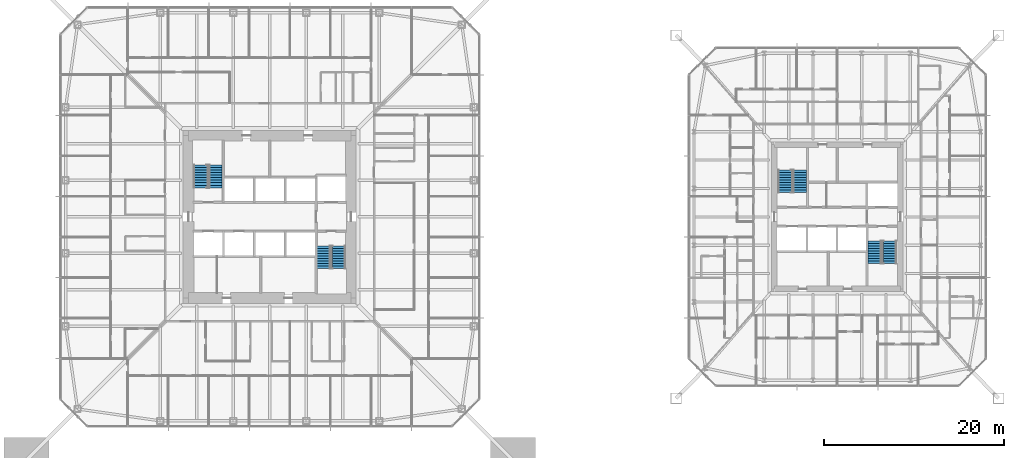
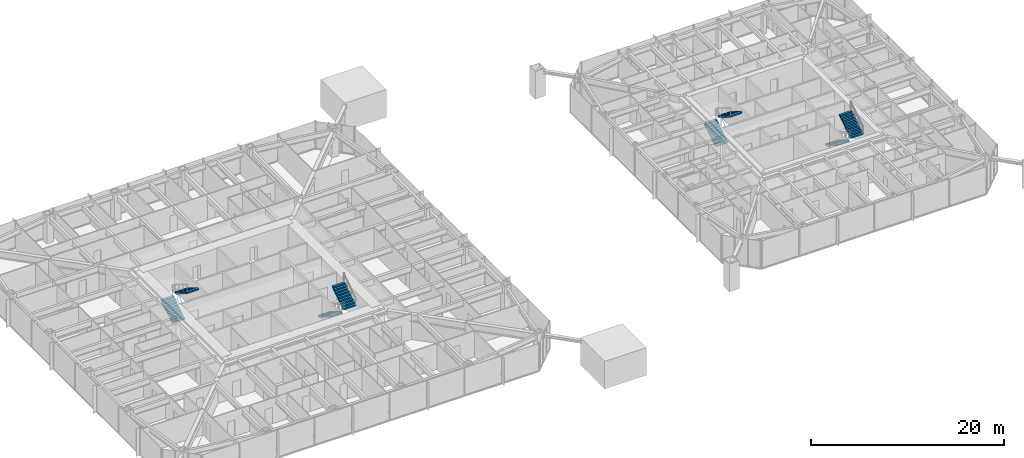
# One storey, part 22 of 26: 8 stair flights, 4 elements without a shape of their own.
"""IFC4 building model written with IfcOpenShell, lengths in metres."""

import ifcopenshell
import ifcopenshell.guid

model = None  # the IFC model being written
_history = None  # IfcOwnerHistory: only IFC2X3 demands one
_inside = {}  # id of a spatial element -> (the spatial element, [elements in it])
_under = {}  # id of a project, library or spatial element -> (it, [spatial elements below it])
_declared = {}  # id of a project -> (the project, [libraries it declares])
_typed = {}  # id of a type object -> (the type object, [elements of that type])
_made_of = {}  # id of a material, layer set ... -> (it, [elements and type objects made of it])


def new_model(schema):
    """Start an empty IFC model of exactly this schema.

    Asked for "IFC4X3", IfcOpenShell would pick the latest addendum, in which some entities
    have other attributes; the version numbers below select the first issue.
    IFC2X3 requires an IfcOwnerHistory on every rooted entity: one is made here for all.
    """
    global model, _history
    if schema == "IFC4X3":
        model = ifcopenshell.file(schema_version=(4, 3, 0, 0))
    else:
        model = ifcopenshell.file(schema=schema)
    _inside.clear()
    _under.clear()
    _declared.clear()
    _typed.clear()
    _made_of.clear()
    _history = None
    if model.schema == "IFC2X3":
        org = make("IfcOrganization", Name="unknown")
        user = make(
            "IfcPersonAndOrganization",
            ThePerson=make("IfcPerson", FamilyName="unknown"),
            TheOrganization=org,
        )
        app = make(
            "IfcApplication",
            ApplicationDeveloper=org,
            Version="unknown",
            ApplicationFullName="unknown",
            ApplicationIdentifier="unknown",
        )
        _history = make(
            "IfcOwnerHistory",
            OwningUser=user,
            OwningApplication=app,
            ChangeAction="ADDED",
            CreationDate=0,
        )
    return model


def make(cls, **values):
    """One entity of the class cls with the attributes given. An attribute that is None is left unset."""
    return model.create_entity(
        cls, **{name: value for name, value in values.items() if value is not None}
    )


def rooted(cls, **values):
    """An entity with a GlobalId (a new one), such as an element, a storey or a relation."""
    return make(cls, GlobalId=ifcopenshell.guid.new(), OwnerHistory=_history, **values)


def si_unit(unit_type, name, prefix=None):
    """IfcSIUnit, for example si_unit("LENGTHUNIT", "METRE", prefix="MILLI")."""
    return make("IfcSIUnit", UnitType=unit_type, Prefix=prefix, Name=name)


def assignment(units):
    """IfcUnitAssignment: the units of a project."""
    return None if units is None else make("IfcUnitAssignment", Units=units)


def point(xyz):
    """IfcCartesianPoint."""
    return None if xyz is None else make("IfcCartesianPoint", Coordinates=xyz)


def direction(xyz):
    """IfcDirection."""
    return None if xyz is None else make("IfcDirection", DirectionRatios=xyz)


def frame(location, z_axis=None, x_axis=None):
    """IfcAxis2Placement3D, a coordinate frame: its origin and axes. An axis left out is left unset."""
    return make(
        "IfcAxis2Placement3D",
        Location=point(location),
        Axis=direction(z_axis),
        RefDirection=direction(x_axis),
    )


def origin():
    """The frame at (0, 0, 0) with its axes left unset."""
    return frame((0.0, 0.0, 0.0))


def place(relative_to, where):
    """IfcLocalPlacement: puts the frame where relative to a parent placement (None: the world)."""
    return make(
        "IfcLocalPlacement", PlacementRelTo=relative_to, RelativePlacement=where
    )


def context(
    kind, dimensions, precision=None, world=None, true_north=None, identifier=None
):
    """IfcGeometricRepresentationContext, for example the 3D "Model" context."""
    return make(
        "IfcGeometricRepresentationContext",
        ContextIdentifier=identifier,
        ContextType=kind,
        CoordinateSpaceDimension=dimensions,
        Precision=precision,
        WorldCoordinateSystem=world,
        TrueNorth=true_north,
    )


def subcontext(parent, identifier, kind, view, scale=None):
    """IfcGeometricRepresentationSubContext, for example "Body" below "Model"."""
    return make(
        "IfcGeometricRepresentationSubContext",
        ContextIdentifier=identifier,
        ContextType=kind,
        ParentContext=parent,
        TargetScale=scale,
        TargetView=view,
    )


def project(units=None, contexts=None):
    """IfcProject with its units and contexts."""
    return rooted(
        "IfcProject",
        Name="project",
        RepresentationContexts=contexts,
        UnitsInContext=assignment(units),
    )


def spatial(cls, under=None, at=None, **own):
    """A site, building, storey or space (cls), placed at a placement, below another one or the project."""
    s = rooted(cls, ObjectPlacement=at, **own)
    if under is not None:
        _under.setdefault(under.id(), (under, []))[1].append(s)
    return s


def polyline(points):
    """IfcPolyline through the points."""
    return make("IfcPolyline", Points=[point(p) for p in points])


def outline(outer, holes=None, kind="AREA"):
    """IfcArbitraryClosedProfileDef: a profile drawn as a closed curve; with holes, ...WithVoids."""
    if holes is None:
        return make("IfcArbitraryClosedProfileDef", ProfileType=kind, OuterCurve=outer)
    return make(
        "IfcArbitraryProfileDefWithVoids",
        ProfileType=kind,
        OuterCurve=outer,
        InnerCurves=holes,
    )


def extrude(swept, where, along, depth):
    """IfcExtrudedAreaSolid: the profile swept, set in the frame where, extruded along a direction by depth."""
    return make(
        "IfcExtrudedAreaSolid",
        SweptArea=swept,
        Position=where,
        ExtrudedDirection=direction(along),
        Depth=depth,
    )


def shape(context_of_items, identifier, shape_type, items):
    """IfcShapeRepresentation: the items that make up one representation, for example the "Body"."""
    return make(
        "IfcShapeRepresentation",
        ContextOfItems=context_of_items,
        RepresentationIdentifier=identifier,
        RepresentationType=shape_type,
        Items=items,
    )


def material(Name=None, Category=None):
    """IfcMaterial."""
    return make("IfcMaterial", Name=Name, Category=Category)


def constituent(of_material, Name=None, Category=None, fraction=None):
    """IfcMaterialConstituent: one of the materials an element consists of."""
    return make(
        "IfcMaterialConstituent",
        Name=Name,
        Material=of_material,
        Fraction=fraction,
        Category=Category,
    )


def constituent_set(constituents=None, Name=None):
    """IfcMaterialConstituentSet."""
    return make(
        "IfcMaterialConstituentSet", Name=Name, MaterialConstituents=constituents
    )


def made_of(thing, what):
    """Note that an element or type object is made of a material, layer set ...; save() writes the relation."""
    if what is not None:
        _made_of.setdefault(what.id(), (what, []))[1].append(thing)
    return thing


def type_object(cls, material=None, **own):
    """A type object (cls), such as IfcWallType, which elements share."""
    return made_of(rooted(cls, **own), material)


def element(
    cls,
    number,
    at=None,
    inside=None,
    cuts=None,
    type_object=None,
    material=None,
    context=None,
    identifier="Body",
    shape_type=None,
    held_by="IfcProductDefinitionShape",
    body=None,
    shapes=None,
    **own,
):
    """One element of the class cls, such as IfcWall. Its Tag is "e" and its number.

    at: its placement. inside: the storey or other place that contains it. cuts: it is an
    opening in that element (IfcRelVoidsElement). A single representation is given by context,
    identifier, shape_type and body (its items); several are given by shapes. held_by: the class
    of the entity that holds the representations. save() writes the other relations.
    """
    e = rooted(cls, Tag="e%d" % number, ObjectPlacement=at, **own)
    if body is not None:
        shapes = [shape(context, identifier, shape_type, body)]
    if shapes is not None:
        e.Representation = make(held_by, Representations=shapes)
    if inside is not None:
        _inside.setdefault(inside.id(), (inside, []))[1].append(e)
    if cuts is not None:
        rooted(
            "IfcRelVoidsElement", RelatingBuildingElement=cuts, RelatedOpeningElement=e
        )
    if type_object is not None:
        _typed.setdefault(type_object.id(), (type_object, []))[1].append(e)
    return made_of(e, material)


def aggregate(whole, parts):
    """IfcRelAggregates: a whole, such as a stair, and the parts it consists of."""
    return rooted("IfcRelAggregates", RelatingObject=whole, RelatedObjects=parts)


def save(model, path):
    """Write the relations noted so far, then the file.

    IfcRelAggregates (storeys below a building ...), IfcRelContainedInSpatialStructure (elements
    in a storey), IfcRelDefinesByType, IfcRelAssociatesMaterial and IfcRelDeclares: one each for
    every whole, place, type object, material and project.
    """
    for whole, parts in _under.values():
        aggregate(whole, parts)
    for where, things in _inside.values():
        rooted(
            "IfcRelContainedInSpatialStructure",
            RelatedElements=things,
            RelatingStructure=where,
        )
    for kind, things in _typed.values():
        rooted("IfcRelDefinesByType", RelatedObjects=things, RelatingType=kind)
    for what, things in _made_of.values():
        rooted("IfcRelAssociatesMaterial", RelatedObjects=things, RelatingMaterial=what)
    for by, libraries in _declared.values():
        rooted("IfcRelDeclares", RelatingContext=by, RelatedDefinitions=libraries)
    model.write(path)


model = new_model("IFC4")

# Units and contexts
model_context = context("Model", 3, precision=1e-05, world=origin(), true_north=direction((0.0, 1.0)))
body_context = subcontext(model_context, "Body", "Model", "MODEL_VIEW")
ifc_project = project(units=[si_unit("LENGTHUNIT", "METRE"), si_unit("AREAUNIT", "SQUARE_METRE"), si_unit("VOLUMEUNIT", "CUBIC_METRE"), si_unit("PLANEANGLEUNIT", "RADIAN"), si_unit("MASSUNIT", "GRAM", prefix="KILO")], contexts=[model_context])

# Site, building, storey
site_placement = place(None, origin())
site = spatial("IfcSite", under=ifc_project, at=site_placement, CompositionType="ELEMENT")
building_placement = place(site_placement, origin())
building = spatial("IfcBuilding", under=site, at=building_placement, Name="Iwan Alto Co-Living Towers", CompositionType="ELEMENT")
storey_placement = place(building_placement, frame((0.0, 0.0, 57.0)))
storey = spatial("IfcBuildingStorey", under=building, at=storey_placement, Name="L15", CompositionType="ELEMENT", Elevation=57.0)

# Stair, stair flights
ifc_material_1 = material(Name="Steel ASTM A36", Category="steel")
ifc_constituent_1 = constituent(ifc_material_1, Name="Stringers", Category="LoadBearing")
ifc_material_2 = material(Name="Concrete f'c 30 MPa", Category="concrete")
ifc_constituent_2 = constituent(ifc_material_2, Name="Tread fill", Category="Finish")
ifc_constituent_set_1 = constituent_set(constituents=[ifc_constituent_1, ifc_constituent_2], Name="STAIR 3500 TWO-FLIGHT T1 CORE")
stair_type_1 = type_object("IfcStairType", Name="STAIR 3500 TWO-FLIGHT T1 CORE", PredefinedType="HALF_TURN_STAIR", material=ifc_constituent_set_1)
stair_1_placement = place(storey_placement, origin())
stair_1 = element("IfcStair", 1, at=stair_1_placement, inside=storey, type_object=stair_type_1, Name="Stair T1-S1 L15 to L16", PredefinedType="HALF_TURN_STAIR")
ifc_constituent_3 = constituent(ifc_material_1, Name="Stringers", Category="LoadBearing")
ifc_constituent_4 = constituent(ifc_material_2, Name="Tread fill", Category="Finish")
ifc_constituent_set_2 = constituent_set(constituents=[ifc_constituent_3, ifc_constituent_4], Name="STAIR FLIGHT 10 RISERS 280 GOING")
stair_flight_type = type_object("IfcStairFlightType", Name="STAIR FLIGHT 10 RISERS 280 GOING", PredefinedType="STRAIGHT", material=ifc_constituent_set_2)
stair_flight_1_placement = place(storey_placement, frame((-7.68994140625, 3.219970703125, 0.0), z_axis=(0.0, 0.0, 1.0), x_axis=(0.0, 1.0, 0.0)))
stair_flight_1 = element("IfcStairFlight", 2, at=stair_flight_1_placement, type_object=stair_flight_type, Name="T1-S1 flight 1", NumberOfRisers=10, NumberOfTreads=9, PredefinedType="STRAIGHT", RiserHeight=0.175, TreadLength=0.28, context=body_context, shape_type="SweptSolid", body=[
    extrude(outline(polyline([(0.0, 0.0), (0.0, 0.175048828125), (0.280029296875, 0.175048828125), (0.280029296875, 0.35009765625), (0.56005859375, 0.35009765625), (0.56005859375, 0.52490234375), (0.840087890625, 0.52490234375), (0.840087890625, 0.699951171875), (1.1201171875, 0.699951171875), (1.1201171875, 0.875), (1.39990234375, 0.875), (1.39990234375, 1.050048828125), (1.679931640625, 1.050048828125), (1.679931640625, 1.22509765625), (1.9599609375, 1.22509765625), (1.9599609375, 1.39990234375), (2.239990234375, 1.39990234375), (2.239990234375, 1.574951171875), (2.52001953125, 1.574951171875), (2.52001953125, 1.75), (2.52001953125, 1.398193359375), (0.28271484375, 0.0), (0.0, 0.0)])), frame((0.0, 0.739990234375, 0.0), z_axis=(0.0, -1.0, 0.0), x_axis=(1.0, 0.0, 0.0)), (0.0, 0.0, 1.0), 1.47998046875),
])
stair_flight_2_placement = place(storey_placement, frame((-6.010009765625, 5.739990234375, 1.75), z_axis=(0.0, 0.0, 1.0), x_axis=(0.0, -1.0, 0.0)))
stair_flight_2 = element("IfcStairFlight", 3, at=stair_flight_2_placement, type_object=stair_flight_type, Name="T1-S1 flight 2", NumberOfRisers=10, NumberOfTreads=9, PredefinedType="STRAIGHT", RiserHeight=0.175, TreadLength=0.28, context=body_context, shape_type="SweptSolid", body=[
    extrude(outline(polyline([(0.0, 0.0), (0.0, 0.175048828125), (0.280029296875, 0.175048828125), (0.280029296875, 0.35009765625), (0.56005859375, 0.35009765625), (0.56005859375, 0.52490234375), (0.840087890625, 0.52490234375), (0.840087890625, 0.699951171875), (1.1201171875, 0.699951171875), (1.1201171875, 0.875), (1.39990234375, 0.875), (1.39990234375, 1.050048828125), (1.679931640625, 1.050048828125), (1.679931640625, 1.22509765625), (1.9599609375, 1.22509765625), (1.9599609375, 1.39990234375), (2.239990234375, 1.39990234375), (2.239990234375, 1.574951171875), (2.52001953125, 1.574951171875), (2.52001953125, 1.75), (2.52001953125, 1.398193359375), (0.28271484375, 0.0), (0.0, 0.0)])), frame((0.0, 0.739990234375, 0.0), z_axis=(0.0, -1.0, 0.0), x_axis=(1.0, 0.0, 0.0)), (0.0, 0.0, 1.0), 1.47998046875),
])
aggregate(stair_1, [stair_flight_1, stair_flight_2])

stair_2_placement = place(storey_placement, origin())
stair_2 = element("IfcStair", 4, at=stair_2_placement, inside=storey, type_object=stair_type_1, Name="Stair T1-S2 L15 to L16", PredefinedType="HALF_TURN_STAIR")
stair_flight_3_placement = place(storey_placement, frame((6.010009765625, -3.219970703125, 0.0), z_axis=(0.0, 0.0, 1.0), x_axis=(0.0, -1.0, 0.0)))
stair_flight_3 = element("IfcStairFlight", 5, at=stair_flight_3_placement, type_object=stair_flight_type, Name="T1-S2 flight 1", NumberOfRisers=10, NumberOfTreads=9, PredefinedType="STRAIGHT", RiserHeight=0.175, TreadLength=0.28, context=body_context, shape_type="SweptSolid", body=[
    extrude(outline(polyline([(0.0, 0.0), (0.0, 0.175048828125), (0.280029296875, 0.175048828125), (0.280029296875, 0.35009765625), (0.56005859375, 0.35009765625), (0.56005859375, 0.52490234375), (0.840087890625, 0.52490234375), (0.840087890625, 0.699951171875), (1.1201171875, 0.699951171875), (1.1201171875, 0.875), (1.39990234375, 0.875), (1.39990234375, 1.050048828125), (1.679931640625, 1.050048828125), (1.679931640625, 1.22509765625), (1.9599609375, 1.22509765625), (1.9599609375, 1.39990234375), (2.239990234375, 1.39990234375), (2.239990234375, 1.574951171875), (2.52001953125, 1.574951171875), (2.52001953125, 1.75), (2.52001953125, 1.398193359375), (0.28271484375, 0.0), (0.0, 0.0)])), frame((0.0, 0.739990234375, 0.0), z_axis=(0.0, -1.0, 0.0), x_axis=(1.0, 0.0, 0.0)), (0.0, 0.0, 1.0), 1.47998046875),
])
stair_flight_4_placement = place(storey_placement, frame((7.68994140625, -5.739990234375, 1.75), z_axis=(0.0, 0.0, 1.0), x_axis=(0.0, 1.0, 0.0)))
stair_flight_4 = element("IfcStairFlight", 6, at=stair_flight_4_placement, type_object=stair_flight_type, Name="T1-S2 flight 2", NumberOfRisers=10, NumberOfTreads=9, PredefinedType="STRAIGHT", RiserHeight=0.175, TreadLength=0.28, context=body_context, shape_type="SweptSolid", body=[
    extrude(outline(polyline([(0.0, 0.0), (0.0, 0.175048828125), (0.280029296875, 0.175048828125), (0.280029296875, 0.35009765625), (0.56005859375, 0.35009765625), (0.56005859375, 0.52490234375), (0.840087890625, 0.52490234375), (0.840087890625, 0.699951171875), (1.1201171875, 0.699951171875), (1.1201171875, 0.875), (1.39990234375, 0.875), (1.39990234375, 1.050048828125), (1.679931640625, 1.050048828125), (1.679931640625, 1.22509765625), (1.9599609375, 1.22509765625), (1.9599609375, 1.39990234375), (2.239990234375, 1.39990234375), (2.239990234375, 1.574951171875), (2.52001953125, 1.574951171875), (2.52001953125, 1.75), (2.52001953125, 1.398193359375), (0.28271484375, 0.0), (0.0, 0.0)])), frame((0.0, 0.739990234375, 0.0), z_axis=(0.0, -1.0, 0.0), x_axis=(1.0, 0.0, 0.0)), (0.0, 0.0, 1.0), 1.47998046875),
])
aggregate(stair_2, [stair_flight_3, stair_flight_4])

ifc_constituent_5 = constituent(ifc_material_1, Name="Stringers", Category="LoadBearing")
ifc_constituent_6 = constituent(ifc_material_2, Name="Tread fill", Category="Finish")
ifc_constituent_set_3 = constituent_set(constituents=[ifc_constituent_5, ifc_constituent_6], Name="STAIR 3500 TWO-FLIGHT T2 CORE")
stair_type_2 = type_object("IfcStairType", Name="STAIR 3500 TWO-FLIGHT T2 CORE", PredefinedType="HALF_TURN_STAIR", material=ifc_constituent_set_3)
stair_3_placement = place(storey_placement, origin())
stair_3 = element("IfcStair", 7, at=stair_3_placement, inside=storey, type_object=stair_type_2, Name="Stair T2-S1 L15 to L16", PredefinedType="HALF_TURN_STAIR")
stair_flight_5_placement = place(storey_placement, frame((57.159912109375, 2.669921875, 0.0), z_axis=(0.0, 0.0, 1.0), x_axis=(0.0, 1.0, 0.0)))
stair_flight_5 = element("IfcStairFlight", 8, at=stair_flight_5_placement, type_object=stair_flight_type, Name="T2-S1 flight 1", NumberOfRisers=10, NumberOfTreads=9, PredefinedType="STRAIGHT", RiserHeight=0.175, TreadLength=0.28, context=body_context, shape_type="SweptSolid", body=[
    extrude(outline(polyline([(0.0, 0.0), (0.0, 0.175048828125), (0.280029296875, 0.175048828125), (0.280029296875, 0.35009765625), (0.56005859375, 0.35009765625), (0.56005859375, 0.52490234375), (0.840087890625, 0.52490234375), (0.840087890625, 0.699951171875), (1.1201171875, 0.699951171875), (1.1201171875, 0.875), (1.39990234375, 0.875), (1.39990234375, 1.050048828125), (1.679931640625, 1.050048828125), (1.679931640625, 1.22509765625), (1.9599609375, 1.22509765625), (1.9599609375, 1.39990234375), (2.239990234375, 1.39990234375), (2.239990234375, 1.574951171875), (2.52001953125, 1.574951171875), (2.52001953125, 1.75), (2.52001953125, 1.398193359375), (0.28271484375, 0.0), (0.0, 0.0)])), frame((0.0, 0.739990234375, 0.0), z_axis=(0.0, -1.0, 0.0), x_axis=(1.0, 0.0, 0.0)), (0.0, 0.0, 1.0), 1.47998046875),
])
stair_flight_6_placement = place(storey_placement, frame((58.840087890625, 5.18994140625, 1.75), z_axis=(0.0, 0.0, 1.0), x_axis=(0.0, -1.0, 0.0)))
stair_flight_6 = element("IfcStairFlight", 9, at=stair_flight_6_placement, type_object=stair_flight_type, Name="T2-S1 flight 2", NumberOfRisers=10, NumberOfTreads=9, PredefinedType="STRAIGHT", RiserHeight=0.175, TreadLength=0.28, context=body_context, shape_type="SweptSolid", body=[
    extrude(outline(polyline([(0.0, 0.0), (0.0, 0.175048828125), (0.280029296875, 0.175048828125), (0.280029296875, 0.35009765625), (0.56005859375, 0.35009765625), (0.56005859375, 0.52490234375), (0.840087890625, 0.52490234375), (0.840087890625, 0.699951171875), (1.1201171875, 0.699951171875), (1.1201171875, 0.875), (1.39990234375, 0.875), (1.39990234375, 1.050048828125), (1.679931640625, 1.050048828125), (1.679931640625, 1.22509765625), (1.9599609375, 1.22509765625), (1.9599609375, 1.39990234375), (2.239990234375, 1.39990234375), (2.239990234375, 1.574951171875), (2.52001953125, 1.574951171875), (2.52001953125, 1.75), (2.52001953125, 1.398193359375), (0.28271484375, 0.0), (0.0, 0.0)])), frame((0.0, 0.739990234375, 0.0), z_axis=(0.0, -1.0, 0.0), x_axis=(1.0, 0.0, 0.0)), (0.0, 0.0, 1.0), 1.47998046875),
])
aggregate(stair_3, [stair_flight_5, stair_flight_6])

stair_4_placement = place(storey_placement, origin())
stair_4 = element("IfcStair", 10, at=stair_4_placement, inside=storey, type_object=stair_type_2, Name="Stair T2-S2 L15 to L16", PredefinedType="HALF_TURN_STAIR")
stair_flight_7_placement = place(storey_placement, frame((67.159912109375, -2.669921875, 0.0), z_axis=(0.0, 0.0, 1.0), x_axis=(0.0, -1.0, 0.0)))
stair_flight_7 = element("IfcStairFlight", 11, at=stair_flight_7_placement, type_object=stair_flight_type, Name="T2-S2 flight 1", NumberOfRisers=10, NumberOfTreads=9, PredefinedType="STRAIGHT", RiserHeight=0.175, TreadLength=0.28, context=body_context, shape_type="SweptSolid", body=[
    extrude(outline(polyline([(0.0, 0.0), (0.0, 0.175048828125), (0.280029296875, 0.175048828125), (0.280029296875, 0.35009765625), (0.56005859375, 0.35009765625), (0.56005859375, 0.52490234375), (0.840087890625, 0.52490234375), (0.840087890625, 0.699951171875), (1.1201171875, 0.699951171875), (1.1201171875, 0.875), (1.39990234375, 0.875), (1.39990234375, 1.050048828125), (1.679931640625, 1.050048828125), (1.679931640625, 1.22509765625), (1.9599609375, 1.22509765625), (1.9599609375, 1.39990234375), (2.239990234375, 1.39990234375), (2.239990234375, 1.574951171875), (2.52001953125, 1.574951171875), (2.52001953125, 1.75), (2.52001953125, 1.398193359375), (0.28271484375, 0.0), (0.0, 0.0)])), frame((0.0, 0.739990234375, 0.0), z_axis=(0.0, -1.0, 0.0), x_axis=(1.0, 0.0, 0.0)), (0.0, 0.0, 1.0), 1.47998046875),
])
stair_flight_8_placement = place(storey_placement, frame((68.840087890625, -5.18994140625, 1.75), z_axis=(0.0, 0.0, 1.0), x_axis=(0.0, 1.0, 0.0)))
stair_flight_8 = element("IfcStairFlight", 12, at=stair_flight_8_placement, type_object=stair_flight_type, Name="T2-S2 flight 2", NumberOfRisers=10, NumberOfTreads=9, PredefinedType="STRAIGHT", RiserHeight=0.175, TreadLength=0.28, context=body_context, shape_type="SweptSolid", body=[
    extrude(outline(polyline([(0.0, 0.0), (0.0, 0.175048828125), (0.280029296875, 0.175048828125), (0.280029296875, 0.35009765625), (0.56005859375, 0.35009765625), (0.56005859375, 0.52490234375), (0.840087890625, 0.52490234375), (0.840087890625, 0.699951171875), (1.1201171875, 0.699951171875), (1.1201171875, 0.875), (1.39990234375, 0.875), (1.39990234375, 1.050048828125), (1.679931640625, 1.050048828125), (1.679931640625, 1.22509765625), (1.9599609375, 1.22509765625), (1.9599609375, 1.39990234375), (2.239990234375, 1.39990234375), (2.239990234375, 1.574951171875), (2.52001953125, 1.574951171875), (2.52001953125, 1.75), (2.52001953125, 1.398193359375), (0.28271484375, 0.0), (0.0, 0.0)])), frame((0.0, 0.739990234375, 0.0), z_axis=(0.0, -1.0, 0.0), x_axis=(1.0, 0.0, 0.0)), (0.0, 0.0, 1.0), 1.47998046875),
])
aggregate(stair_4, [stair_flight_7, stair_flight_8])

save(model, "model.ifc")
